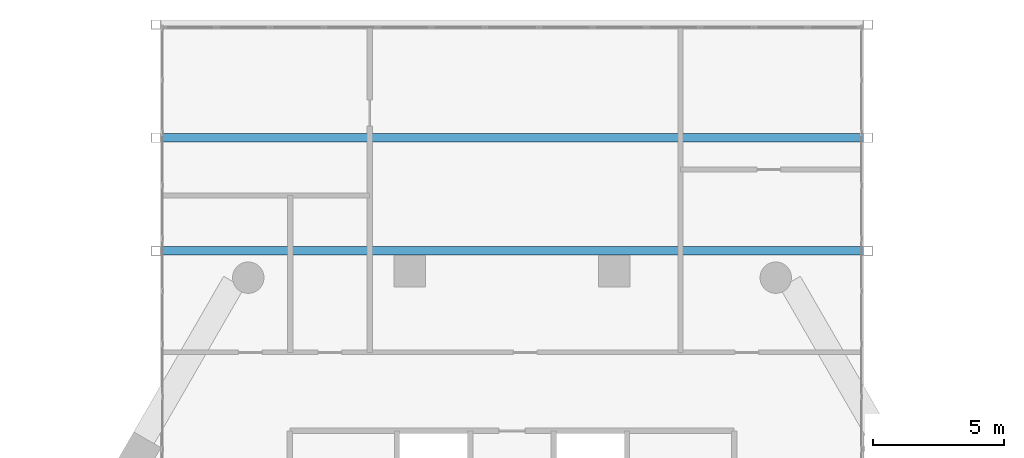
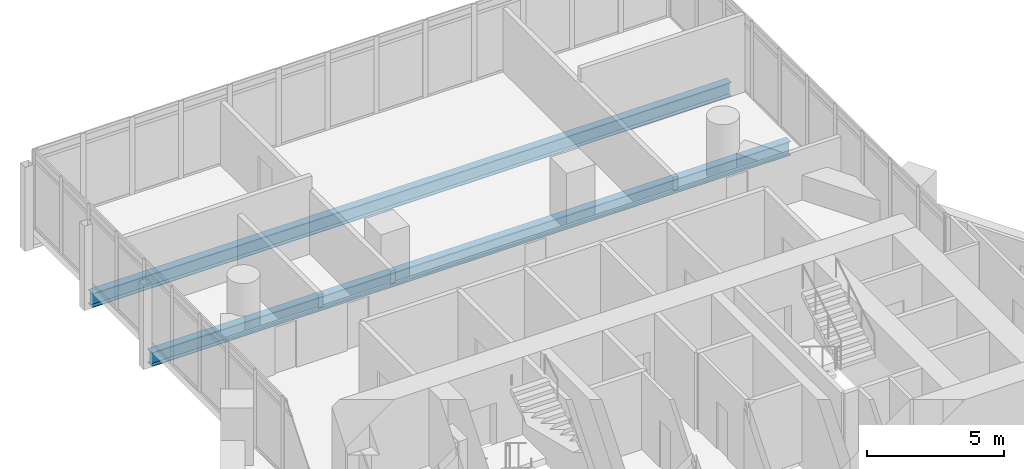
# One storey, part 14 of 28: 2 beams.
"""IFC4 building model written with IfcOpenShell, lengths in metres."""

import ifcopenshell
import ifcopenshell.guid

model = None  # the IFC model being written
_history = None  # IfcOwnerHistory: only IFC2X3 demands one
_inside = {}  # id of a spatial element -> (the spatial element, [elements in it])
_under = {}  # id of a project, library or spatial element -> (it, [spatial elements below it])
_declared = {}  # id of a project -> (the project, [libraries it declares])
_typed = {}  # id of a type object -> (the type object, [elements of that type])
_made_of = {}  # id of a material, layer set ... -> (it, [elements and type objects made of it])


def new_model(schema):
    """Start an empty IFC model of exactly this schema.

    Asked for "IFC4X3", IfcOpenShell would pick the latest addendum, in which some entities
    have other attributes; the version numbers below select the first issue.
    IFC2X3 requires an IfcOwnerHistory on every rooted entity: one is made here for all.
    """
    global model, _history
    if schema == "IFC4X3":
        model = ifcopenshell.file(schema_version=(4, 3, 0, 0))
    else:
        model = ifcopenshell.file(schema=schema)
    _inside.clear()
    _under.clear()
    _declared.clear()
    _typed.clear()
    _made_of.clear()
    _history = None
    if model.schema == "IFC2X3":
        org = make("IfcOrganization", Name="unknown")
        user = make(
            "IfcPersonAndOrganization",
            ThePerson=make("IfcPerson", FamilyName="unknown"),
            TheOrganization=org,
        )
        app = make(
            "IfcApplication",
            ApplicationDeveloper=org,
            Version="unknown",
            ApplicationFullName="unknown",
            ApplicationIdentifier="unknown",
        )
        _history = make(
            "IfcOwnerHistory",
            OwningUser=user,
            OwningApplication=app,
            ChangeAction="ADDED",
            CreationDate=0,
        )
    return model


def make(cls, **values):
    """One entity of the class cls with the attributes given. An attribute that is None is left unset."""
    return model.create_entity(
        cls, **{name: value for name, value in values.items() if value is not None}
    )


def rooted(cls, **values):
    """An entity with a GlobalId (a new one), such as an element, a storey or a relation."""
    return make(cls, GlobalId=ifcopenshell.guid.new(), OwnerHistory=_history, **values)


def si_unit(unit_type, name, prefix=None):
    """IfcSIUnit, for example si_unit("LENGTHUNIT", "METRE", prefix="MILLI")."""
    return make("IfcSIUnit", UnitType=unit_type, Prefix=prefix, Name=name)


def assignment(units):
    """IfcUnitAssignment: the units of a project."""
    return None if units is None else make("IfcUnitAssignment", Units=units)


def point(xyz):
    """IfcCartesianPoint."""
    return None if xyz is None else make("IfcCartesianPoint", Coordinates=xyz)


def direction(xyz):
    """IfcDirection."""
    return None if xyz is None else make("IfcDirection", DirectionRatios=xyz)


def frame(location, z_axis=None, x_axis=None):
    """IfcAxis2Placement3D, a coordinate frame: its origin and axes. An axis left out is left unset."""
    return make(
        "IfcAxis2Placement3D",
        Location=point(location),
        Axis=direction(z_axis),
        RefDirection=direction(x_axis),
    )


def frame_2d(location, x_axis=None):
    """IfcAxis2Placement2D, a coordinate frame in the plane: its origin and x axis."""
    return make(
        "IfcAxis2Placement2D", Location=point(location), RefDirection=direction(x_axis)
    )


def origin():
    """The frame at (0, 0, 0) with its axes left unset."""
    return frame((0.0, 0.0, 0.0))


def origin_2d():
    """The frame at (0, 0) in the plane with its x axis left unset."""
    return frame_2d((0.0, 0.0))


def place(relative_to, where):
    """IfcLocalPlacement: puts the frame where relative to a parent placement (None: the world)."""
    return make(
        "IfcLocalPlacement", PlacementRelTo=relative_to, RelativePlacement=where
    )


def context(
    kind, dimensions, precision=None, world=None, true_north=None, identifier=None
):
    """IfcGeometricRepresentationContext, for example the 3D "Model" context."""
    return make(
        "IfcGeometricRepresentationContext",
        ContextIdentifier=identifier,
        ContextType=kind,
        CoordinateSpaceDimension=dimensions,
        Precision=precision,
        WorldCoordinateSystem=world,
        TrueNorth=true_north,
    )


def subcontext(parent, identifier, kind, view, scale=None):
    """IfcGeometricRepresentationSubContext, for example "Body" below "Model"."""
    return make(
        "IfcGeometricRepresentationSubContext",
        ContextIdentifier=identifier,
        ContextType=kind,
        ParentContext=parent,
        TargetScale=scale,
        TargetView=view,
    )


def project(units=None, contexts=None):
    """IfcProject with its units and contexts."""
    return rooted(
        "IfcProject",
        Name="project",
        RepresentationContexts=contexts,
        UnitsInContext=assignment(units),
    )


def spatial(cls, under=None, at=None, **own):
    """A site, building, storey or space (cls), placed at a placement, below another one or the project."""
    s = rooted(cls, ObjectPlacement=at, **own)
    if under is not None:
        _under.setdefault(under.id(), (under, []))[1].append(s)
    return s


def profile(cls, at=None, kind="AREA", **sizes):
    """A parametric profile (cls). Its sizes go by their IFC names, for example OverallWidth=200.0."""
    return make(cls, ProfileType=kind, Position=at, **sizes)


def i_section(**sizes):
    """IfcIShapeProfileDef."""
    return profile("IfcIShapeProfileDef", **sizes)


def extrude(swept, where, along, depth):
    """IfcExtrudedAreaSolid: the profile swept, set in the frame where, extruded along a direction by depth."""
    return make(
        "IfcExtrudedAreaSolid",
        SweptArea=swept,
        Position=where,
        ExtrudedDirection=direction(along),
        Depth=depth,
    )


def shape(context_of_items, identifier, shape_type, items):
    """IfcShapeRepresentation: the items that make up one representation, for example the "Body"."""
    return make(
        "IfcShapeRepresentation",
        ContextOfItems=context_of_items,
        RepresentationIdentifier=identifier,
        RepresentationType=shape_type,
        Items=items,
    )


def material(Name=None, Category=None):
    """IfcMaterial."""
    return make("IfcMaterial", Name=Name, Category=Category)


def material_profile(
    of_material, cross_section, Name=None, Category=None, Priority=None
):
    """IfcMaterialProfile: a cross section and its material."""
    return make(
        "IfcMaterialProfile",
        Name=Name,
        Material=of_material,
        Profile=cross_section,
        Priority=Priority,
        Category=Category,
    )


def profile_set(profiles, Name=None, composite=None):
    """IfcMaterialProfileSet."""
    return make(
        "IfcMaterialProfileSet",
        Name=Name,
        MaterialProfiles=profiles,
        CompositeProfile=composite,
    )


def made_of(thing, what):
    """Note that an element or type object is made of a material, layer set ...; save() writes the relation."""
    if what is not None:
        _made_of.setdefault(what.id(), (what, []))[1].append(thing)
    return thing


def type_object(cls, material=None, **own):
    """A type object (cls), such as IfcWallType, which elements share."""
    return made_of(rooted(cls, **own), material)


def element(
    cls,
    number,
    at=None,
    inside=None,
    cuts=None,
    type_object=None,
    material=None,
    context=None,
    identifier="Body",
    shape_type=None,
    held_by="IfcProductDefinitionShape",
    body=None,
    shapes=None,
    **own,
):
    """One element of the class cls, such as IfcWall. Its Tag is "e" and its number.

    at: its placement. inside: the storey or other place that contains it. cuts: it is an
    opening in that element (IfcRelVoidsElement). A single representation is given by context,
    identifier, shape_type and body (its items); several are given by shapes. held_by: the class
    of the entity that holds the representations. save() writes the other relations.
    """
    e = rooted(cls, Tag="e%d" % number, ObjectPlacement=at, **own)
    if body is not None:
        shapes = [shape(context, identifier, shape_type, body)]
    if shapes is not None:
        e.Representation = make(held_by, Representations=shapes)
    if inside is not None:
        _inside.setdefault(inside.id(), (inside, []))[1].append(e)
    if cuts is not None:
        rooted(
            "IfcRelVoidsElement", RelatingBuildingElement=cuts, RelatedOpeningElement=e
        )
    if type_object is not None:
        _typed.setdefault(type_object.id(), (type_object, []))[1].append(e)
    return made_of(e, material)


def aggregate(whole, parts):
    """IfcRelAggregates: a whole, such as a stair, and the parts it consists of."""
    return rooted("IfcRelAggregates", RelatingObject=whole, RelatedObjects=parts)


def save(model, path):
    """Write the relations noted so far, then the file.

    IfcRelAggregates (storeys below a building ...), IfcRelContainedInSpatialStructure (elements
    in a storey), IfcRelDefinesByType, IfcRelAssociatesMaterial and IfcRelDeclares: one each for
    every whole, place, type object, material and project.
    """
    for whole, parts in _under.values():
        aggregate(whole, parts)
    for where, things in _inside.values():
        rooted(
            "IfcRelContainedInSpatialStructure",
            RelatedElements=things,
            RelatingStructure=where,
        )
    for kind, things in _typed.values():
        rooted("IfcRelDefinesByType", RelatedObjects=things, RelatingType=kind)
    for what, things in _made_of.values():
        rooted("IfcRelAssociatesMaterial", RelatedObjects=things, RelatingMaterial=what)
    for by, libraries in _declared.values():
        rooted("IfcRelDeclares", RelatingContext=by, RelatedDefinitions=libraries)
    model.write(path)


model = new_model("IFC4")

# Units and contexts
model_context = context("Model", 3, precision=1e-05, world=origin(), true_north=direction((0.0, 1.0)))
body_context = subcontext(model_context, "Body", "Model", "MODEL_VIEW")
ifc_project = project(units=[si_unit("LENGTHUNIT", "METRE"), si_unit("AREAUNIT", "SQUARE_METRE"), si_unit("VOLUMEUNIT", "CUBIC_METRE"), si_unit("PLANEANGLEUNIT", "RADIAN"), si_unit("MASSUNIT", "GRAM", prefix="KILO")], contexts=[model_context])

# Site, building, storey
site_placement = place(None, origin())
site = spatial("IfcSite", under=ifc_project, at=site_placement, CompositionType="ELEMENT")
building_placement = place(site_placement, origin())
building = spatial("IfcBuilding", under=site, at=building_placement, Name="Ostrander Bayou Hotel Tower", CompositionType="ELEMENT")
storey_placement = place(building_placement, frame((0.0, 0.0, 134.75)))
storey = spatial("IfcBuildingStorey", under=building, at=storey_placement, Name="L33", CompositionType="ELEMENT", Elevation=134.75)

# Beams
ifc_material = material(Name="Steel ASTM A992", Category="steel")
ifc_material_profile = material_profile(ifc_material, i_section(OverallWidth=0.32763671875, OverallDepth=0.621826171875, WebThickness=0.015380859375, FlangeThickness=0.0244140625, at=origin_2d()))
ifc_profile_set = profile_set([ifc_material_profile], Name="Steel ASTM A992")
beam_type = type_object("IfcBeamType", Name="TF1 bar floor beam W24x131", PredefinedType="BEAM", material=ifc_profile_set)
for number, where, z_axis, x_axis, name in (
    (1, (-13.442138671875, 24.809326171875, -0.61083984375), (1.0, 0.0, 0.0), (0.0, 1.0, 0.0), "TF1 SB3W L2-2"),
    (2, (-13.442138671875, 20.481689453125, -0.61083984375), (1.0, 0.0, 0.0), (0.0, 1.0, 0.0), "TF1 SB3W L2-3"),
):
    element("IfcBeam", number, at=place(storey_placement, frame(where, z_axis=z_axis, x_axis=x_axis)), inside=storey, type_object=beam_type, Name=name, PredefinedType="BEAM", context=body_context, shape_type="SweptSolid", body=[
        extrude(i_section(OverallWidth=0.32763671875, OverallDepth=0.621826171875, WebThickness=0.015380859375, FlangeThickness=0.0244140625, at=origin_2d()), origin(), (0.0, 0.0, 1.0), 26.88427734375),
    ])

save(model, "model.ifc")
